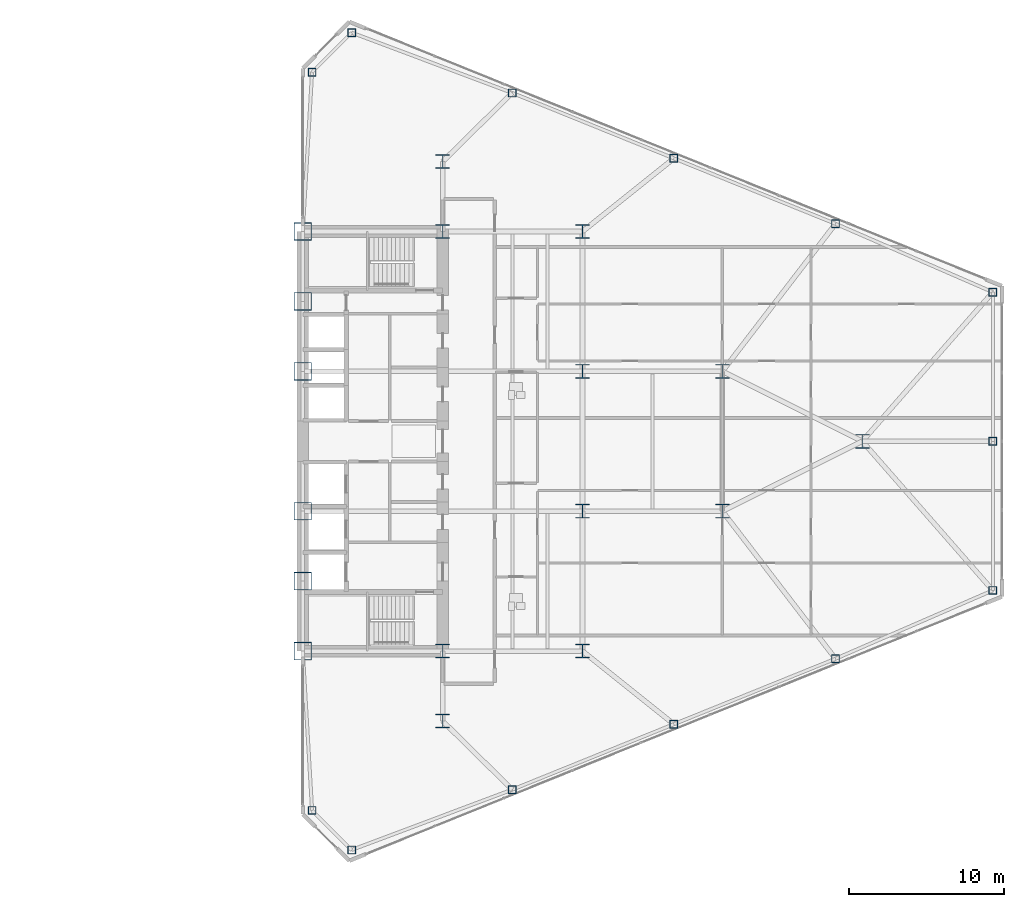
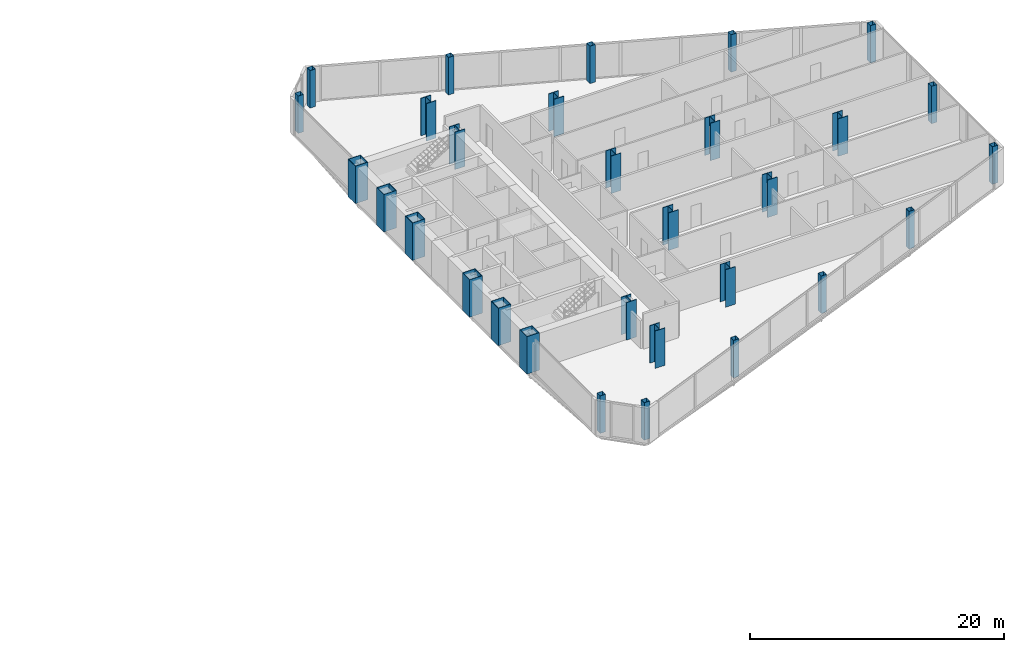
# One storey, part 2 of 25: 30 columns.
"""IFC4 building model written with IfcOpenShell, lengths in metres."""

import ifcopenshell
import ifcopenshell.guid

model = None  # the IFC model being written
_history = None  # IfcOwnerHistory: only IFC2X3 demands one
_inside = {}  # id of a spatial element -> (the spatial element, [elements in it])
_under = {}  # id of a project, library or spatial element -> (it, [spatial elements below it])
_declared = {}  # id of a project -> (the project, [libraries it declares])
_typed = {}  # id of a type object -> (the type object, [elements of that type])
_made_of = {}  # id of a material, layer set ... -> (it, [elements and type objects made of it])


def new_model(schema):
    """Start an empty IFC model of exactly this schema.

    Asked for "IFC4X3", IfcOpenShell would pick the latest addendum, in which some entities
    have other attributes; the version numbers below select the first issue.
    IFC2X3 requires an IfcOwnerHistory on every rooted entity: one is made here for all.
    """
    global model, _history
    if schema == "IFC4X3":
        model = ifcopenshell.file(schema_version=(4, 3, 0, 0))
    else:
        model = ifcopenshell.file(schema=schema)
    _inside.clear()
    _under.clear()
    _declared.clear()
    _typed.clear()
    _made_of.clear()
    _history = None
    if model.schema == "IFC2X3":
        org = make("IfcOrganization", Name="unknown")
        user = make(
            "IfcPersonAndOrganization",
            ThePerson=make("IfcPerson", FamilyName="unknown"),
            TheOrganization=org,
        )
        app = make(
            "IfcApplication",
            ApplicationDeveloper=org,
            Version="unknown",
            ApplicationFullName="unknown",
            ApplicationIdentifier="unknown",
        )
        _history = make(
            "IfcOwnerHistory",
            OwningUser=user,
            OwningApplication=app,
            ChangeAction="ADDED",
            CreationDate=0,
        )
    return model


def make(cls, **values):
    """One entity of the class cls with the attributes given. An attribute that is None is left unset."""
    return model.create_entity(
        cls, **{name: value for name, value in values.items() if value is not None}
    )


def rooted(cls, **values):
    """An entity with a GlobalId (a new one), such as an element, a storey or a relation."""
    return make(cls, GlobalId=ifcopenshell.guid.new(), OwnerHistory=_history, **values)


def si_unit(unit_type, name, prefix=None):
    """IfcSIUnit, for example si_unit("LENGTHUNIT", "METRE", prefix="MILLI")."""
    return make("IfcSIUnit", UnitType=unit_type, Prefix=prefix, Name=name)


def assignment(units):
    """IfcUnitAssignment: the units of a project."""
    return None if units is None else make("IfcUnitAssignment", Units=units)


def point(xyz):
    """IfcCartesianPoint."""
    return None if xyz is None else make("IfcCartesianPoint", Coordinates=xyz)


def direction(xyz):
    """IfcDirection."""
    return None if xyz is None else make("IfcDirection", DirectionRatios=xyz)


def frame(location, z_axis=None, x_axis=None):
    """IfcAxis2Placement3D, a coordinate frame: its origin and axes. An axis left out is left unset."""
    return make(
        "IfcAxis2Placement3D",
        Location=point(location),
        Axis=direction(z_axis),
        RefDirection=direction(x_axis),
    )


def frame_2d(location, x_axis=None):
    """IfcAxis2Placement2D, a coordinate frame in the plane: its origin and x axis."""
    return make(
        "IfcAxis2Placement2D", Location=point(location), RefDirection=direction(x_axis)
    )


def origin():
    """The frame at (0, 0, 0) with its axes left unset."""
    return frame((0.0, 0.0, 0.0))


def origin_2d():
    """The frame at (0, 0) in the plane with its x axis left unset."""
    return frame_2d((0.0, 0.0))


def place(relative_to, where):
    """IfcLocalPlacement: puts the frame where relative to a parent placement (None: the world)."""
    return make(
        "IfcLocalPlacement", PlacementRelTo=relative_to, RelativePlacement=where
    )


def context(
    kind, dimensions, precision=None, world=None, true_north=None, identifier=None
):
    """IfcGeometricRepresentationContext, for example the 3D "Model" context."""
    return make(
        "IfcGeometricRepresentationContext",
        ContextIdentifier=identifier,
        ContextType=kind,
        CoordinateSpaceDimension=dimensions,
        Precision=precision,
        WorldCoordinateSystem=world,
        TrueNorth=true_north,
    )


def subcontext(parent, identifier, kind, view, scale=None):
    """IfcGeometricRepresentationSubContext, for example "Body" below "Model"."""
    return make(
        "IfcGeometricRepresentationSubContext",
        ContextIdentifier=identifier,
        ContextType=kind,
        ParentContext=parent,
        TargetScale=scale,
        TargetView=view,
    )


def project(units=None, contexts=None):
    """IfcProject with its units and contexts."""
    return rooted(
        "IfcProject",
        Name="project",
        RepresentationContexts=contexts,
        UnitsInContext=assignment(units),
    )


def spatial(cls, under=None, at=None, **own):
    """A site, building, storey or space (cls), placed at a placement, below another one or the project."""
    s = rooted(cls, ObjectPlacement=at, **own)
    if under is not None:
        _under.setdefault(under.id(), (under, []))[1].append(s)
    return s


def profile(cls, at=None, kind="AREA", **sizes):
    """A parametric profile (cls). Its sizes go by their IFC names, for example OverallWidth=200.0."""
    return make(cls, ProfileType=kind, Position=at, **sizes)


def hollow_rectangle(**sizes):
    """IfcRectangleHollowProfileDef."""
    return profile("IfcRectangleHollowProfileDef", **sizes)


def i_section(**sizes):
    """IfcIShapeProfileDef."""
    return profile("IfcIShapeProfileDef", **sizes)


def extrude(swept, where, along, depth):
    """IfcExtrudedAreaSolid: the profile swept, set in the frame where, extruded along a direction by depth."""
    return make(
        "IfcExtrudedAreaSolid",
        SweptArea=swept,
        Position=where,
        ExtrudedDirection=direction(along),
        Depth=depth,
    )


def shape(context_of_items, identifier, shape_type, items):
    """IfcShapeRepresentation: the items that make up one representation, for example the "Body"."""
    return make(
        "IfcShapeRepresentation",
        ContextOfItems=context_of_items,
        RepresentationIdentifier=identifier,
        RepresentationType=shape_type,
        Items=items,
    )


def source(mapping_origin, context_of_items, identifier, shape_type, items):
    """IfcRepresentationMap: a shape defined once, which mapped items show again and again."""
    return make(
        "IfcRepresentationMap",
        MappingOrigin=mapping_origin,
        MappedRepresentation=shape(context_of_items, identifier, shape_type, items),
    )


def transform(
    local_origin,
    x_axis=None,
    y_axis=None,
    z_axis=None,
    scale=None,
    scale2=None,
    scale3=None,
    uniform=True,
):
    """IfcCartesianTransformationOperator3D, or its non-uniform kind. x_axis, y_axis, z_axis: its Axis1, 2, 3."""
    if uniform:
        return make(
            "IfcCartesianTransformationOperator3D",
            Axis1=direction(x_axis),
            Axis2=direction(y_axis),
            LocalOrigin=point(local_origin),
            Scale=scale,
            Axis3=direction(z_axis),
        )
    return make(
        "IfcCartesianTransformationOperator3DnonUniform",
        Axis1=direction(x_axis),
        Axis2=direction(y_axis),
        LocalOrigin=point(local_origin),
        Scale=scale,
        Axis3=direction(z_axis),
        Scale2=scale2,
        Scale3=scale3,
    )


def mapped(mapping_source, mapping_target):
    """IfcMappedItem: shows the shape of a source again, moved by a transform."""
    return make(
        "IfcMappedItem", MappingSource=mapping_source, MappingTarget=mapping_target
    )


def material(Name=None, Category=None):
    """IfcMaterial."""
    return make("IfcMaterial", Name=Name, Category=Category)


def material_profile(
    of_material, cross_section, Name=None, Category=None, Priority=None
):
    """IfcMaterialProfile: a cross section and its material."""
    return make(
        "IfcMaterialProfile",
        Name=Name,
        Material=of_material,
        Profile=cross_section,
        Priority=Priority,
        Category=Category,
    )


def profile_set(profiles, Name=None, composite=None):
    """IfcMaterialProfileSet."""
    return make(
        "IfcMaterialProfileSet",
        Name=Name,
        MaterialProfiles=profiles,
        CompositeProfile=composite,
    )


def made_of(thing, what):
    """Note that an element or type object is made of a material, layer set ...; save() writes the relation."""
    if what is not None:
        _made_of.setdefault(what.id(), (what, []))[1].append(thing)
    return thing


def type_object(cls, material=None, **own):
    """A type object (cls), such as IfcWallType, which elements share."""
    return made_of(rooted(cls, **own), material)


def type_shapes(of_type, sources):
    """Give a type object the sources (RepresentationMaps) that its elements show as mapped items."""
    of_type.RepresentationMaps = sources


def element(
    cls,
    number,
    at=None,
    inside=None,
    cuts=None,
    type_object=None,
    material=None,
    context=None,
    identifier="Body",
    shape_type=None,
    held_by="IfcProductDefinitionShape",
    body=None,
    shapes=None,
    **own,
):
    """One element of the class cls, such as IfcWall. Its Tag is "e" and its number.

    at: its placement. inside: the storey or other place that contains it. cuts: it is an
    opening in that element (IfcRelVoidsElement). A single representation is given by context,
    identifier, shape_type and body (its items); several are given by shapes. held_by: the class
    of the entity that holds the representations. save() writes the other relations.
    """
    e = rooted(cls, Tag="e%d" % number, ObjectPlacement=at, **own)
    if body is not None:
        shapes = [shape(context, identifier, shape_type, body)]
    if shapes is not None:
        e.Representation = make(held_by, Representations=shapes)
    if inside is not None:
        _inside.setdefault(inside.id(), (inside, []))[1].append(e)
    if cuts is not None:
        rooted(
            "IfcRelVoidsElement", RelatingBuildingElement=cuts, RelatedOpeningElement=e
        )
    if type_object is not None:
        _typed.setdefault(type_object.id(), (type_object, []))[1].append(e)
    return made_of(e, material)


def aggregate(whole, parts):
    """IfcRelAggregates: a whole, such as a stair, and the parts it consists of."""
    return rooted("IfcRelAggregates", RelatingObject=whole, RelatedObjects=parts)


def save(model, path):
    """Write the relations noted so far, then the file.

    IfcRelAggregates (storeys below a building ...), IfcRelContainedInSpatialStructure (elements
    in a storey), IfcRelDefinesByType, IfcRelAssociatesMaterial and IfcRelDeclares: one each for
    every whole, place, type object, material and project.
    """
    for whole, parts in _under.values():
        aggregate(whole, parts)
    for where, things in _inside.values():
        rooted(
            "IfcRelContainedInSpatialStructure",
            RelatedElements=things,
            RelatingStructure=where,
        )
    for kind, things in _typed.values():
        rooted("IfcRelDefinesByType", RelatedObjects=things, RelatingType=kind)
    for what, things in _made_of.values():
        rooted("IfcRelAssociatesMaterial", RelatedObjects=things, RelatingMaterial=what)
    for by, libraries in _declared.values():
        rooted("IfcRelDeclares", RelatingContext=by, RelatedDefinitions=libraries)
    model.write(path)


model = new_model("IFC4")

# Units and contexts
model_context = context("Model", 3, precision=1e-05, world=origin(), true_north=direction((0.0, 1.0)))
body_context = subcontext(model_context, "Body", "Model", "MODEL_VIEW")
ifc_project = project(units=[si_unit("LENGTHUNIT", "METRE"), si_unit("AREAUNIT", "SQUARE_METRE"), si_unit("VOLUMEUNIT", "CUBIC_METRE"), si_unit("PLANEANGLEUNIT", "RADIAN"), si_unit("MASSUNIT", "GRAM", prefix="KILO")], contexts=[model_context])

# Site, building, storey
site_placement = place(None, origin())
site = spatial("IfcSite", under=ifc_project, at=site_placement, CompositionType="ELEMENT")
building_placement = place(site_placement, origin())
building = spatial("IfcBuilding", under=site, at=building_placement, Name="Seokmaru Belvedere", CompositionType="ELEMENT")
storey_placement = place(building_placement, frame((0.0, 0.0, 51.300048828125)))
storey = spatial("IfcBuildingStorey", under=building, at=storey_placement, Name="L13", CompositionType="ELEMENT", Elevation=51.300048828125)

# Columns
ifc_material_1 = material(Name="Steel HSA650 (650 MPa)", Category="steel")
ifc_material_profile_1 = material_profile(ifc_material_1, hollow_rectangle(XDim=1.14990234375, YDim=1.14990234375, WallThickness=0.048095703125, at=origin_2d()), Name="BOX-1150x1150x48")
ifc_profile_set_1 = profile_set([ifc_material_profile_1], Name="Steel HSA650 (650 MPa)")
column_type_1 = type_object("IfcColumnType", Name="Portal Spine Column BOX-1150", PredefinedType="COLUMN", material=ifc_profile_set_1)
shared_shape_1 = source(origin(), body_context, "Body", "SweptSolid", [
    extrude(hollow_rectangle(XDim=1.14990234375, YDim=1.14990234375, WallThickness=0.048095703125, at=origin_2d()), origin(), (0.0, 0.0, 1.0), 3.599853515625),
])
type_shapes(column_type_1, [shared_shape_1])
for number, where, z_axis, x_axis, name in (
    (1, (27.5, -13.5, 0.0), (0.0, 0.0, 1.0), (1.0, 0.0, 0.0), "L13 Column ES1"),
    (2, (27.5, -9.0, 0.0), (0.0, 0.0, 1.0), (1.0, 0.0, 0.0), "L13 Column ES2"),
    (3, (27.5, -4.5, 0.0), (0.0, 0.0, 1.0), (1.0, 0.0, 0.0), "L13 Column ES3"),
    (4, (27.5, 4.5, 0.0), (0.0, 0.0, 1.0), (1.0, 0.0, 0.0), "L13 Column ES4"),
    (5, (27.5, 9.0, 0.0), (0.0, 0.0, 1.0), (1.0, 0.0, 0.0), "L13 Column ES5"),
    (6, (27.5, 13.5, 0.0), (0.0, 0.0, 1.0), (1.0, 0.0, 0.0), "L13 Column ES6"),
):
    element("IfcColumn", number, at=place(storey_placement, frame(where, z_axis=z_axis, x_axis=x_axis)), inside=storey, type_object=column_type_1, Name=name, PredefinedType="COLUMN", context=body_context, shape_type="MappedRepresentation", body=[
        mapped(shared_shape_1, transform((0.0, 0.0, 0.0), scale=1.0)),
    ])
ifc_material_profile_2 = material_profile(ifc_material_1, i_section(OverallWidth=0.89990234375, OverallDepth=0.89990234375, WebThickness=0.035888671875, FlangeThickness=0.054931640625, at=origin_2d()), Name="H-900x900x36x55")
ifc_profile_set_2 = profile_set([ifc_material_profile_2], Name="Steel HSA650 (650 MPa)")
column_type_2 = type_object("IfcColumnType", Name="Lower Interior Column H-900", PredefinedType="COLUMN", material=ifc_profile_set_2)
shared_shape_2 = source(origin(), body_context, "Body", "SweptSolid", [
    extrude(i_section(OverallWidth=0.89990234375, OverallDepth=0.89990234375, WebThickness=0.035888671875, FlangeThickness=0.054931640625, at=origin_2d()), origin(), (0.0, 0.0, 1.0), 3.599853515625),
])
type_shapes(column_type_2, [shared_shape_2])
for number, where, z_axis, x_axis, name in (
    (7, (36.5, -18.0, 0.0), (0.0, 0.0, 1.0), (1.0, 0.0, 0.0), "L13 Column EC1"),
    (8, (36.5, -13.5, 0.0), (0.0, 0.0, 1.0), (1.0, 0.0, 0.0), "L13 Column EC2"),
    (9, (36.5, 13.5, 0.0), (0.0, 0.0, 1.0), (1.0, 0.0, 0.0), "L13 Column EC3"),
    (10, (36.5, 18.0, 0.0), (0.0, 0.0, 1.0), (1.0, 0.0, 0.0), "L13 Column EC4"),
    (11, (45.5, -13.5, 0.0), (0.0, 0.0, 1.0), (1.0, 0.0, 0.0), "L13 Column EG5_1"),
    (12, (45.5, -4.5, 0.0), (0.0, 0.0, 1.0), (1.0, 0.0, 0.0), "L13 Column EG5_2"),
    (13, (45.5, 4.5, 0.0), (0.0, 0.0, 1.0), (1.0, 0.0, 0.0), "L13 Column EG5_3"),
    (14, (45.5, 13.5, 0.0), (0.0, 0.0, 1.0), (1.0, 0.0, 0.0), "L13 Column EG5_4"),
    (15, (54.5, -4.5, 0.0), (0.0, 0.0, 1.0), (1.0, 0.0, 0.0), "L13 Column EG4P_1"),
    (16, (54.5, 4.5, 0.0), (0.0, 0.0, 1.0), (1.0, 0.0, 0.0), "L13 Column EG4P_2"),
    (17, (63.5, 0.0, 0.0), (0.0, 0.0, 1.0), (1.0, 0.0, 0.0), "L13 Column EG3P_1"),
):
    element("IfcColumn", number, at=place(storey_placement, frame(where, z_axis=z_axis, x_axis=x_axis)), inside=storey, type_object=column_type_2, Name=name, PredefinedType="COLUMN", context=body_context, shape_type="MappedRepresentation", body=[
        mapped(shared_shape_2, transform((0.0, 0.0, 0.0), scale=1.0)),
    ])
ifc_material_2 = material(Name="Steel SM355 (355 MPa)", Category="steel")
ifc_material_profile_3 = material_profile(ifc_material_2, hollow_rectangle(XDim=0.5, YDim=0.5, WallThickness=0.02001953125, at=origin_2d()), Name="HSS-500x500x20")
ifc_profile_set_3 = profile_set([ifc_material_profile_3], Name="Steel SM355 (355 MPa)")
column_type_3 = type_object("IfcColumnType", Name="Perimeter Facet Column HSS-500", PredefinedType="COLUMN", material=ifc_profile_set_3)
shared_shape_3 = source(origin(), body_context, "Body", "SweptSolid", [
    extrude(hollow_rectangle(XDim=0.5, YDim=0.5, WallThickness=0.02001953125, at=origin_2d()), origin(), (0.0, 0.0, 1.0), 3.599853515625),
])
type_shapes(column_type_3, [shared_shape_3])
for number, where, z_axis, x_axis, name in (
    (18, (30.643310546875, -26.294677734375, 0.0), (0.0, 0.0, 1.0), (1.0, 0.0, 0.0), "L13 Column EF1"),
    (19, (71.89990234375, -9.595703125, 0.0), (0.0, 0.0, 1.0), (1.0, 0.0, 0.0), "L13 Column EF2"),
    (20, (71.89990234375, 9.595703125, 0.0), (0.0, 0.0, 1.0), (1.0, 0.0, 0.0), "L13 Column EF3"),
    (21, (30.643310546875, 26.294677734375, 0.0), (0.0, 0.0, 1.0), (1.0, 0.0, 0.0), "L13 Column EF4"),
    (22, (28.10009765625, 23.75146484375, 0.0), (0.0, 0.0, 1.0), (1.0, 0.0, 0.0), "L13 Column EF5"),
    (23, (28.10009765625, -23.75146484375, 0.0), (0.0, 0.0, 1.0), (1.0, 0.0, 0.0), "L13 Column EF6"),
    (24, (40.977294921875, -22.4140625, 0.0), (0.0, 0.0, 1.0), (1.0, 0.0, 0.0), "L13 Column EFLK_S1"),
    (25, (51.378173828125, -18.2041015625, 0.0), (0.0, 0.0, 1.0), (1.0, 0.0, 0.0), "L13 Column EFLK_S2"),
    (26, (61.779052734375, -13.994140625, 0.0), (0.0, 0.0, 1.0), (1.0, 0.0, 0.0), "L13 Column EFLK_S3"),
    (27, (40.977294921875, 22.4140625, 0.0), (0.0, 0.0, 1.0), (1.0, 0.0, 0.0), "L13 Column EFLK_N1"),
    (28, (51.378173828125, 18.2041015625, 0.0), (0.0, 0.0, 1.0), (1.0, 0.0, 0.0), "L13 Column EFLK_N2"),
    (29, (61.779052734375, 13.994140625, 0.0), (0.0, 0.0, 1.0), (1.0, 0.0, 0.0), "L13 Column EFLK_N3"),
    (30, (71.89990234375, 0.0, 0.0), (0.0, 0.0, 1.0), (1.0, 0.0, 0.0), "L13 Column EF_APXM"),
):
    element("IfcColumn", number, at=place(storey_placement, frame(where, z_axis=z_axis, x_axis=x_axis)), inside=storey, type_object=column_type_3, Name=name, PredefinedType="COLUMN", context=body_context, shape_type="MappedRepresentation", body=[
        mapped(shared_shape_3, transform((0.0, 0.0, 0.0), scale=1.0)),
    ])

save(model, "model.ifc")
